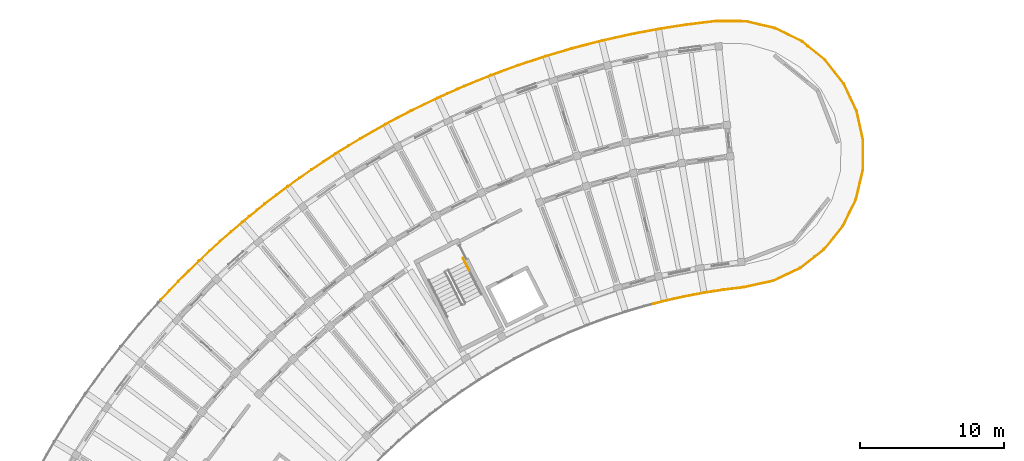
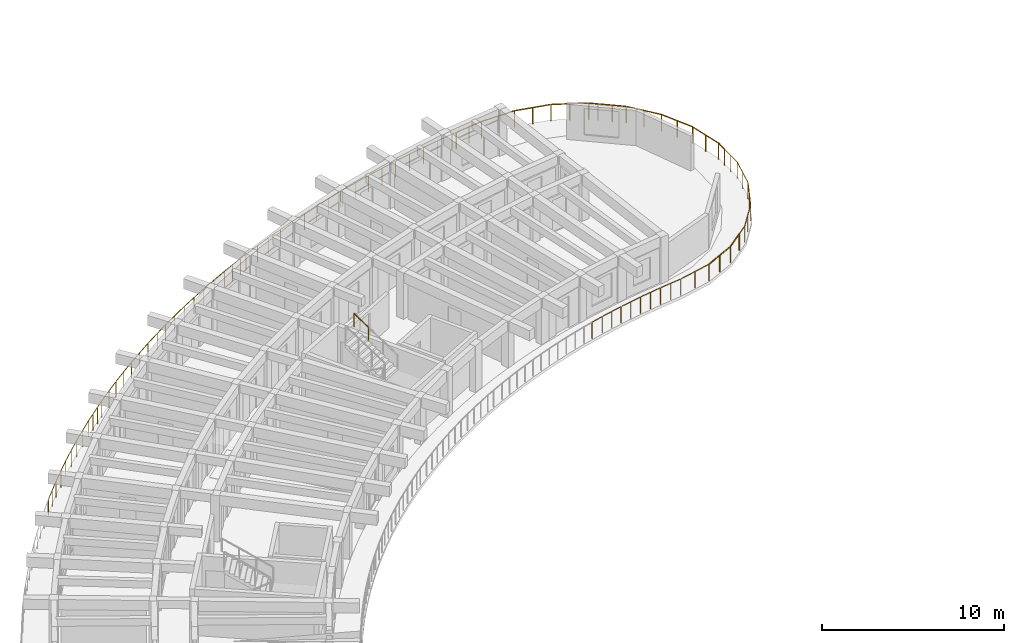
# One storey, part 49 of 56: 11 railings.
"""IFC4 building model written with IfcOpenShell, lengths in metres."""

from ifc_helpers import new_model, si_unit, direction, frame, origin, origin_2d, place, context, subcontext, project, spatial, circle, extrude, material, type_object, element, save


model = new_model("IFC4")

# Units and contexts
model_context = context("Model", 3, precision=1e-05, world=origin(), true_north=direction((0.0, 1.0)))
body_context = subcontext(model_context, "Body", "Model", "MODEL_VIEW")
ifc_project = project(units=[si_unit("LENGTHUNIT", "METRE"), si_unit("AREAUNIT", "SQUARE_METRE"), si_unit("VOLUMEUNIT", "CUBIC_METRE"), si_unit("PLANEANGLEUNIT", "RADIAN"), si_unit("MASSUNIT", "GRAM", prefix="KILO")], contexts=[model_context])

# Site, building, storey
site_placement = place(None, origin())
site = spatial("IfcSite", under=ifc_project, at=site_placement, CompositionType="ELEMENT")
building_placement = place(site_placement, origin())
building = spatial("IfcBuilding", under=site, at=building_placement, Name="Tanwirah Colonnade Gardens", CompositionType="ELEMENT")
storey_placement = place(building_placement, frame((0.0, 0.0, 29.0)))
storey = spatial("IfcBuildingStorey", under=building, at=storey_placement, Name="L08", CompositionType="ELEMENT", Elevation=29.0)

# Railings
ifc_material_1 = material(Name="Precast concrete C40/50", Category="concrete")
railing_type_1 = type_object("IfcRailingType", Name="BAL-EXT112", PredefinedType="BALUSTRADE", material=ifc_material_1)
railing_1_placement = place(storey_placement, frame((62.57666015625, 103.095947265625, 0.0)))
element("IfcRailing", 1, at=railing_1_placement, inside=storey, type_object=railing_type_1, Name="Block A L08 Balcony Ribbon Balustrade 1", PredefinedType="BALUSTRADE", context=body_context, shape_type="SweptSolid", body=[
    extrude(circle(Radius=0.02392578125, at=origin_2d()), frame((-0.030517578125, -0.0068359375, 1.09619140625), z_axis=(-0.976545428659, -0.215311462222, 0.0), x_axis=(0.215311462222, -0.976545428659, 0.0)), (0.0, 0.0, 1.0), 2.029541015625),
    extrude(circle(Radius=0.02392578125, at=origin_2d()), frame((-2.073974609375, -0.4541015625, 1.09619140625), z_axis=(-0.99267751715, -0.120794647829, 0.0), x_axis=(0.120794647829, -0.99267751715, 0.0)), (0.0, 0.0, 1.0), 1.338134765625),
    extrude(circle(Radius=0.02392578125, at=origin_2d()), frame((-3.466796875, -0.625, 1.09619140625), z_axis=(-0.988147546762, -0.153507087226, 0.0), x_axis=(0.153507087226, -0.988147546762, 0.0)), (0.0, 0.0, 1.0), 1.341796875),
    extrude(circle(Radius=0.02392578125, at=origin_2d()), frame((-4.85693359375, -0.842041015625, 1.09619140625), z_axis=(-0.982547926195, -0.186009603862, 0.0), x_axis=(0.186009603862, -0.982547926195, 0.0)), (0.0, 0.0, 1.0), 1.341796875),
    extrude(circle(Radius=0.02392578125, at=origin_2d()), frame((-6.239013671875, -1.104736328125, 1.09619140625), z_axis=(-0.975875211082, -0.218329046156, 0.0), x_axis=(0.218329046156, -0.975875211082, 0.0)), (0.0, 0.0, 1.0), 1.342041015625),
    extrude(circle(Radius=0.02392578125, at=origin_2d()), frame((-7.61181640625, -1.4130859375, 1.09619140625), z_axis=(-0.968150815957, -0.25036772468, 0.0), x_axis=(0.25036772468, -0.968150815957, 0.0)), (0.0, 0.0, 1.0), 0.721435546875),
    extrude(circle(Radius=0.02099609375, at=origin_2d()), origin(), (0.0, 0.0, 1.0), 1.069091796875),
    extrude(circle(Radius=0.02099609375, at=origin_2d()), frame((-1.021484375, -0.22509765625, 0.0)), (0.0, 0.0, 1.0), 1.069091796875),
    extrude(circle(Radius=0.02099609375, at=origin_2d()), frame((-2.04296875, -0.450439453125, 0.0)), (0.0, 0.0, 1.0), 1.069091796875),
    extrude(circle(Radius=0.02099609375, at=origin_2d()), frame((-2.73828125, -0.53515625, 0.0)), (0.0, 0.0, 1.0), 1.069091796875),
    extrude(circle(Radius=0.02099609375, at=origin_2d()), frame((-3.433349609375, -0.61962890625, 0.0)), (0.0, 0.0, 1.0), 1.069091796875),
    extrude(circle(Radius=0.02099609375, at=origin_2d()), frame((-4.129638671875, -0.72802734375, 0.0)), (0.0, 0.0, 1.0), 1.069091796875),
    extrude(circle(Radius=0.02099609375, at=origin_2d()), frame((-4.823486328125, -0.835693359375, 0.0)), (0.0, 0.0, 1.0), 1.069091796875),
    extrude(circle(Radius=0.02099609375, at=origin_2d()), frame((-5.51611328125, -0.966796875, 0.0)), (0.0, 0.0, 1.0), 1.069091796875),
    extrude(circle(Radius=0.02099609375, at=origin_2d()), frame((-6.2060546875, -1.097412109375, 0.0)), (0.0, 0.0, 1.0), 1.069091796875),
    extrude(circle(Radius=0.02099609375, at=origin_2d()), frame((-6.893798828125, -1.251220703125, 0.0)), (0.0, 0.0, 1.0), 1.069091796875),
    extrude(circle(Radius=0.02099609375, at=origin_2d()), frame((-7.5791015625, -1.404541015625, 0.0)), (0.0, 0.0, 1.0), 1.069091796875),
    extrude(circle(Radius=0.02099609375, at=origin_2d()), frame((-8.340576171875, -1.6015625, 0.0)), (0.0, 0.0, 1.0), 1.069091796875),
])
railing_2_placement = place(storey_placement, frame((19.91796875, 101.760986328125, 0.0)))
element("IfcRailing", 2, at=railing_2_placement, inside=storey, type_object=railing_type_1, Name="Block A L08 Balcony Ribbon Balustrade 14", PredefinedType="BALUSTRADE", context=body_context, shape_type="SweptSolid", body=[
    extrude(circle(Radius=0.02392578125, at=origin_2d()), frame((0.021484375, 0.022705078125, 1.09619140625), z_axis=(0.686974448696, 0.726681571831, 0.0), x_axis=(-0.726681571831, 0.686974448696, 0.0)), (0.0, 0.0, 1.0), 1.71435546875),
    extrude(circle(Radius=0.02392578125, at=origin_2d()), frame((1.242919921875, 1.313232421875, 1.09619140625), z_axis=(0.710480209462, 0.703717181801, 0.0), x_axis=(-0.703717181801, 0.710480209462, 0.0)), (0.0, 0.0, 1.0), 1.958984375),
    extrude(circle(Radius=0.02392578125, at=origin_2d()), frame((2.679931640625, 2.735107421875, 1.09619140625), z_axis=(0.733352454033, 0.679848643569, 0.0), x_axis=(-0.679848643569, 0.733352454033, 0.0)), (0.0, 0.0, 1.0), 1.958984375),
    extrude(circle(Radius=0.02392578125, at=origin_2d()), frame((4.1630859375, 4.108642578125, 1.09619140625), z_axis=(0.755338292497, 0.655335077565, 0.0), x_axis=(-0.655335077565, 0.755338292497, 0.0)), (0.0, 0.0, 1.0), 1.958984375),
    extrude(circle(Radius=0.02392578125, at=origin_2d()), frame((5.6904296875, 5.4326171875, 1.09619140625), z_axis=(0.776510659425, 0.630104115047, 0.0), x_axis=(-0.630104115047, 0.776510659425, 0.0)), (0.0, 0.0, 1.0), 0.59619140625),
    extrude(circle(Radius=0.02099609375, at=origin_2d()), origin(), (0.0, 0.0, 1.0), 1.069091796875),
    extrude(circle(Radius=0.02099609375, at=origin_2d()), frame((0.6103515625, 0.6455078125, 0.0)), (0.0, 0.0, 1.0), 1.069091796875),
    extrude(circle(Radius=0.02099609375, at=origin_2d()), frame((1.220703125, 1.291259765625, 0.0)), (0.0, 0.0, 1.0), 1.069091796875),
    extrude(circle(Radius=0.02099609375, at=origin_2d()), frame((1.93896484375, 2.00244140625, 0.0)), (0.0, 0.0, 1.0), 1.069091796875),
    extrude(circle(Radius=0.02099609375, at=origin_2d()), frame((2.656982421875, 2.7138671875, 0.0)), (0.0, 0.0, 1.0), 1.069091796875),
    extrude(circle(Radius=0.02099609375, at=origin_2d()), frame((3.398193359375, 3.40087890625, 0.0)), (0.0, 0.0, 1.0), 1.069091796875),
    extrude(circle(Radius=0.02099609375, at=origin_2d()), frame((4.139404296875, 4.088134765625, 0.0)), (0.0, 0.0, 1.0), 1.069091796875),
    extrude(circle(Radius=0.02099609375, at=origin_2d()), frame((4.90283203125, 4.75048828125, 0.0)), (0.0, 0.0, 1.0), 1.069091796875),
    extrude(circle(Radius=0.02099609375, at=origin_2d()), frame((5.666259765625, 5.412841796875, 0.0)), (0.0, 0.0, 1.0), 1.069091796875),
    extrude(circle(Radius=0.02099609375, at=origin_2d()), frame((6.177734375, 5.827880859375, 0.0)), (0.0, 0.0, 1.0), 1.069091796875),
])
railing_3_placement = place(storey_placement, frame((26.095703125, 107.5888671875, 0.0)))
element("IfcRailing", 3, at=railing_3_placement, inside=storey, type_object=railing_type_1, Name="Block A L08 Balcony Ribbon Balustrade 15", PredefinedType="BALUSTRADE", context=body_context, shape_type="SweptSolid", body=[
    extrude(circle(Radius=0.02392578125, at=origin_2d()), frame((0.024169921875, 0.019775390625, 1.09619140625), z_axis=(0.776568601174, 0.630032703652, 0.0), x_axis=(-0.630032703652, 0.776568601174, 0.0)), (0.0, 0.0, 1.0), 1.30029296875),
    extrude(circle(Radius=0.02392578125, at=origin_2d()), frame((1.083251953125, 0.87744140625, 1.09619140625), z_axis=(0.796887753746, 0.604127393792, 0.0), x_axis=(-0.604127393792, 0.796887753746, 0.0)), (0.0, 0.0, 1.0), 1.958984375),
    extrude(circle(Radius=0.02392578125, at=origin_2d()), frame((2.69482421875, 2.097900390625, 1.09619140625), z_axis=(0.816344803849, 0.577564854565, 0.0), x_axis=(-0.577564854565, 0.816344803849, 0.0)), (0.0, 0.0, 1.0), 1.958740234375),
    extrude(circle(Radius=0.02392578125, at=origin_2d()), frame((4.345458984375, 3.264404296875, 1.09619140625), z_axis=(0.834955682369, 0.550317188973, 0.0), x_axis=(-0.550317188973, 0.834955682369, 0.0)), (0.0, 0.0, 1.0), 1.959228515625),
    extrude(circle(Radius=0.02392578125, at=origin_2d()), frame((6.033935546875, 4.376220703125, 1.09619140625), z_axis=(0.852594710096, 0.522572732082, 0.0), x_axis=(-0.522572732082, 0.852594710096, 0.0)), (0.0, 0.0, 1.0), 1.01025390625),
    extrude(circle(Radius=0.02099609375, at=origin_2d()), origin(), (0.0, 0.0, 1.0), 1.069091796875),
    extrude(circle(Radius=0.02099609375, at=origin_2d()), frame((0.529296875, 0.42919921875, 0.0)), (0.0, 0.0, 1.0), 1.069091796875),
    extrude(circle(Radius=0.02099609375, at=origin_2d()), frame((1.058349609375, 0.858642578125, 0.0)), (0.0, 0.0, 1.0), 1.069091796875),
    extrude(circle(Radius=0.02099609375, at=origin_2d()), frame((1.86376953125, 1.46923828125, 0.0)), (0.0, 0.0, 1.0), 1.069091796875),
    extrude(circle(Radius=0.02099609375, at=origin_2d()), frame((2.669189453125, 2.079833984375, 0.0)), (0.0, 0.0, 1.0), 1.069091796875),
    extrude(circle(Radius=0.02099609375, at=origin_2d()), frame((3.494140625, 2.66357421875, 0.0)), (0.0, 0.0, 1.0), 1.069091796875),
    extrude(circle(Radius=0.02099609375, at=origin_2d()), frame((4.3193359375, 3.247314453125, 0.0)), (0.0, 0.0, 1.0), 1.069091796875),
    extrude(circle(Radius=0.02099609375, at=origin_2d()), frame((5.163330078125, 3.8037109375, 0.0)), (0.0, 0.0, 1.0), 1.069091796875),
    extrude(circle(Radius=0.02099609375, at=origin_2d()), frame((6.00732421875, 4.35986328125, 0.0)), (0.0, 0.0, 1.0), 1.069091796875),
    extrude(circle(Radius=0.02099609375, at=origin_2d()), frame((6.921875, 4.92041015625, 0.0)), (0.0, 0.0, 1.0), 1.069091796875),
])
railing_4_placement = place(storey_placement, frame((33.017578125, 112.50927734375, 0.0)))
element("IfcRailing", 4, at=railing_4_placement, inside=storey, type_object=railing_type_1, Name="Block A L08 Balcony Ribbon Balustrade 16", PredefinedType="BALUSTRADE", context=body_context, shape_type="SweptSolid", body=[
    extrude(circle(Radius=0.02392578125, at=origin_2d()), frame((0.026611328125, 0.016357421875, 1.09619140625), z_axis=(0.852734357798, 0.522344823877, 0.0), x_axis=(-0.522344823877, 0.852734357798, 0.0)), (0.0, 0.0, 1.0), 0.88623046875),
    extrude(circle(Radius=0.02392578125, at=origin_2d()), frame((0.836181640625, 0.510986328125, 1.09619140625), z_axis=(0.869392881113, 0.494121461049, 0.0), x_axis=(-0.494121461049, 0.869392881113, 0.0)), (0.0, 0.0, 1.0), 1.958740234375),
    extrude(circle(Radius=0.02392578125, at=origin_2d()), frame((2.593994140625, 1.509033203125, 1.09619140625), z_axis=(0.885211446817, 0.465188880374, 0.0), x_axis=(-0.465188880374, 0.885211446817, 0.0)), (0.0, 0.0, 1.0), 1.958984375),
    extrude(circle(Radius=0.02392578125, at=origin_2d()), frame((4.384033203125, 2.448486328125, 1.09619140625), z_axis=(0.900055350621, 0.435775591122, 0.0), x_axis=(-0.435775591122, 0.900055350621, 0.0)), (0.0, 0.0, 1.0), 1.958740234375),
    extrude(circle(Radius=0.02392578125, at=origin_2d()), frame((6.203857421875, 3.328369140625, 1.09619140625), z_axis=(0.913919852198, 0.405894695406, 0.0), x_axis=(-0.405894695406, 0.913919852198, 0.0)), (0.0, 0.0, 1.0), 1.42431640625),
    extrude(circle(Radius=0.02099609375, at=origin_2d()), origin(), (0.0, 0.0, 1.0), 1.069091796875),
    extrude(circle(Radius=0.02099609375, at=origin_2d()), frame((0.80908203125, 0.49560546875, 0.0)), (0.0, 0.0, 1.0), 1.069091796875),
    extrude(circle(Radius=0.02099609375, at=origin_2d()), frame((1.687744140625, 0.9951171875, 0.0)), (0.0, 0.0, 1.0), 1.069091796875),
    extrude(circle(Radius=0.02099609375, at=origin_2d()), frame((2.56640625, 1.494384765625, 0.0)), (0.0, 0.0, 1.0), 1.069091796875),
    extrude(circle(Radius=0.02099609375, at=origin_2d()), frame((3.461181640625, 1.964599609375, 0.0)), (0.0, 0.0, 1.0), 1.069091796875),
    extrude(circle(Radius=0.02099609375, at=origin_2d()), frame((4.35595703125, 2.434814453125, 0.0)), (0.0, 0.0, 1.0), 1.069091796875),
    extrude(circle(Radius=0.02099609375, at=origin_2d()), frame((5.265625, 2.875244140625, 0.0)), (0.0, 0.0, 1.0), 1.069091796875),
    extrude(circle(Radius=0.02099609375, at=origin_2d()), frame((6.17529296875, 3.315673828125, 0.0)), (0.0, 0.0, 1.0), 1.069091796875),
    extrude(circle(Radius=0.02099609375, at=origin_2d()), frame((6.854736328125, 3.617431640625, 0.0)), (0.0, 0.0, 1.0), 1.069091796875),
    extrude(circle(Radius=0.02099609375, at=origin_2d()), frame((7.5341796875, 3.919189453125, 0.0)), (0.0, 0.0, 1.0), 1.069091796875),
])
railing_5_placement = place(storey_placement, frame((40.5517578125, 116.428466796875, 0.0)))
element("IfcRailing", 5, at=railing_5_placement, inside=storey, type_object=railing_type_1, Name="Block A L08 Balcony Ribbon Balustrade 17", PredefinedType="BALUSTRADE", context=body_context, shape_type="SweptSolid", body=[
    extrude(circle(Radius=0.02392578125, at=origin_2d()), frame((0.028564453125, 0.0126953125, 1.09619140625), z_axis=(0.914037447664, 0.405629811857, 0.0), x_axis=(-0.405629811857, 0.914037447664, 0.0)), (0.0, 0.0, 1.0), 0.471923828125),
    extrude(circle(Radius=0.02392578125, at=origin_2d()), frame((0.517578125, 0.228515625, 1.09619140625), z_axis=(0.926784720453, 0.375592973757, 0.0), x_axis=(-0.375592973757, 0.926784720453, 0.0)), (0.0, 0.0, 1.0), 1.958984375),
    extrude(circle(Radius=0.02392578125, at=origin_2d()), frame((2.391357421875, 0.98681640625, 1.09619140625), z_axis=(0.938723993457, 0.344669789956, 0.0), x_axis=(-0.344669789956, 0.938723993457, 0.0)), (0.0, 0.0, 1.0), 1.958984375),
    extrude(circle(Radius=0.02392578125, at=origin_2d()), frame((4.28955078125, 1.6826171875, 1.09619140625), z_axis=(0.949537316482, 0.313654084317, 0.0), x_axis=(-0.313654084317, 0.949537316482, 0.0)), (0.0, 0.0, 1.0), 1.958984375),
    extrude(circle(Radius=0.02392578125, at=origin_2d()), frame((6.209228515625, 2.315673828125, 1.09619140625), z_axis=(0.9593675466, 0.282159370801, 0.0), x_axis=(-0.282159370801, 0.9593675466, 0.0)), (0.0, 0.0, 1.0), 1.83837890625),
    extrude(circle(Radius=0.02099609375, at=origin_2d()), origin(), (0.0, 0.0, 1.0), 1.069091796875),
    extrude(circle(Radius=0.02099609375, at=origin_2d()), frame((0.488525390625, 0.216796875, 0.0)), (0.0, 0.0, 1.0), 1.069091796875),
    extrude(circle(Radius=0.02099609375, at=origin_2d()), frame((1.42529296875, 0.596435546875, 0.0)), (0.0, 0.0, 1.0), 1.069091796875),
    extrude(circle(Radius=0.02099609375, at=origin_2d()), frame((2.362060546875, 0.97607421875, 0.0)), (0.0, 0.0, 1.0), 1.069091796875),
    extrude(circle(Radius=0.02099609375, at=origin_2d()), frame((3.31103515625, 1.324462890625, 0.0)), (0.0, 0.0, 1.0), 1.069091796875),
    extrude(circle(Radius=0.02099609375, at=origin_2d()), frame((4.259765625, 1.6728515625, 0.0)), (0.0, 0.0, 1.0), 1.069091796875),
    extrude(circle(Radius=0.02099609375, at=origin_2d()), frame((5.219482421875, 1.98974609375, 0.0)), (0.0, 0.0, 1.0), 1.069091796875),
    extrude(circle(Radius=0.02099609375, at=origin_2d()), frame((6.17919921875, 2.306884765625, 0.0)), (0.0, 0.0, 1.0), 1.069091796875),
    extrude(circle(Radius=0.02099609375, at=origin_2d()), frame((7.091064453125, 2.5751953125, 0.0)), (0.0, 0.0, 1.0), 1.069091796875),
    extrude(circle(Radius=0.02099609375, at=origin_2d()), frame((8.0029296875, 2.84326171875, 0.0)), (0.0, 0.0, 1.0), 1.069091796875),
])
railing_6_placement = place(storey_placement, frame((48.5546875, 119.271728515625, 0.0)))
element("IfcRailing", 6, at=railing_6_placement, inside=storey, type_object=railing_type_1, Name="Block A L08 Balcony Ribbon Balustrade 18", PredefinedType="BALUSTRADE", context=body_context, shape_type="SweptSolid", body=[
    extrude(circle(Radius=0.02392578125, at=origin_2d()), frame((0.030029296875, 0.0087890625, 1.09619140625), z_axis=(0.959430074946, 0.281946681644, 0.0), x_axis=(-0.281946681644, 0.959430074946, 0.0)), (0.0, 0.0, 1.0), 0.057861328125),
    extrude(circle(Radius=0.02392578125, at=origin_2d()), frame((0.145751953125, 0.041748046875, 1.09619140625), z_axis=(0.968157509899, 0.250341838346, 0.0), x_axis=(-0.250341838346, 0.968157509899, 0.0)), (0.0, 0.0, 1.0), 1.959228515625),
    extrude(circle(Radius=0.02392578125, at=origin_2d()), frame((2.103271484375, 0.546875, 1.09619140625), z_axis=(0.975867729966, 0.218362482151, 0.0), x_axis=(-0.218362482151, 0.975867729966, 0.0)), (0.0, 0.0, 1.0), 1.958984375),
    extrude(circle(Radius=0.02392578125, at=origin_2d()), frame((4.076171875, 0.9873046875, 1.09619140625), z_axis=(0.982549371225, 0.186001970705, 0.0), x_axis=(-0.186001970705, 0.982549371225, 0.0)), (0.0, 0.0, 1.0), 1.958740234375),
    extrude(circle(Radius=0.02392578125, at=origin_2d()), frame((6.0625, 1.3623046875, 1.09619140625), z_axis=(0.988130323653, 0.153617913919, 0.0), x_axis=(-0.153617913919, 0.988130323653, 0.0)), (0.0, 0.0, 1.0), 1.958984375),
    extrude(circle(Radius=0.02392578125, at=origin_2d()), frame((8.06005859375, 1.671630859375, 1.09619140625), z_axis=(0.992706670136, 0.120554830125, 0.0), x_axis=(-0.120554830125, 0.992706670136, 0.0)), (0.0, 0.0, 1.0), 0.231201171875),
    extrude(circle(Radius=0.02099609375, at=origin_2d()), origin(), (0.0, 0.0, 1.0), 1.069091796875),
    extrude(circle(Radius=0.02099609375, at=origin_2d()), frame((0.115478515625, 0.033935546875, 0.0)), (0.0, 0.0, 1.0), 1.069091796875),
    extrude(circle(Radius=0.02099609375, at=origin_2d()), frame((1.09423828125, 0.287109375, 0.0)), (0.0, 0.0, 1.0), 1.069091796875),
    extrude(circle(Radius=0.02099609375, at=origin_2d()), frame((2.07275390625, 0.5400390625, 0.0)), (0.0, 0.0, 1.0), 1.069091796875),
    extrude(circle(Radius=0.02099609375, at=origin_2d()), frame((3.05908203125, 0.7607421875, 0.0)), (0.0, 0.0, 1.0), 1.069091796875),
    extrude(circle(Radius=0.02099609375, at=origin_2d()), frame((4.04541015625, 0.9814453125, 0.0)), (0.0, 0.0, 1.0), 1.069091796875),
    extrude(circle(Radius=0.02099609375, at=origin_2d()), frame((5.03857421875, 1.16943359375, 0.0)), (0.0, 0.0, 1.0), 1.069091796875),
    extrude(circle(Radius=0.02099609375, at=origin_2d()), frame((6.031494140625, 1.357421875, 0.0)), (0.0, 0.0, 1.0), 1.069091796875),
    extrude(circle(Radius=0.02099609375, at=origin_2d()), frame((7.0302734375, 1.5126953125, 0.0)), (0.0, 0.0, 1.0), 1.069091796875),
    extrude(circle(Radius=0.02099609375, at=origin_2d()), frame((8.029052734375, 1.66796875, 0.0)), (0.0, 0.0, 1.0), 1.069091796875),
    extrude(circle(Radius=0.02099609375, at=origin_2d()), frame((8.320556640625, 1.703369140625, 0.0)), (0.0, 0.0, 1.0), 1.069091796875),
])
railing_7_placement = place(storey_placement, frame((56.875244140625, 120.97509765625, 0.0)))
element("IfcRailing", 7, at=railing_7_placement, inside=storey, type_object=railing_type_1, Name="Block A L08 Balcony Ribbon Balustrade 19", PredefinedType="BALUSTRADE", context=body_context, shape_type="SweptSolid", body=[
    extrude(circle(Radius=0.02392578125, at=origin_2d()), frame((0.031005859375, 0.003662109375, 1.09619140625), z_axis=(0.992658739514, 0.120948860543, 0.0), x_axis=(-0.120948860543, 0.992658739514, 0.0)), (0.0, 0.0, 1.0), 1.661376953125),
    extrude(circle(Radius=0.02392578125, at=origin_2d()), frame((1.742431640625, 0.208251953125, 1.09619140625), z_axis=(0.999972077233, -0.00747293472, 0.0), x_axis=(0.00747293472, 0.999972077233, 0.0)), (0.0, 0.0, 1.0), 2.0283203125),
    extrude(circle(Radius=0.02392578125, at=origin_2d()), frame((3.83251953125, 0.185791015625, 1.09619140625), z_axis=(0.973245052386, -0.229769597654, 0.0), x_axis=(0.229769597654, 0.973245052386, 0.0)), (0.0, 0.0, 1.0), 2.0244140625),
    extrude(circle(Radius=0.02392578125, at=origin_2d()), frame((5.861083984375, -0.30029296875, 1.09619140625), z_axis=(0.89767854763, -0.440650910727, 0.0), x_axis=(0.440650910727, 0.89767854763, 0.0)), (0.0, 0.0, 1.0), 2.024658203125),
    extrude(circle(Radius=0.02392578125, at=origin_2d()), frame((7.73095703125, -1.22607421875, 1.09619140625), z_axis=(0.777222634712, -0.62922569567, 0.0), x_axis=(0.62922569567, 0.777222634712, 0.0)), (0.0, 0.0, 1.0), 0.448974609375),
    extrude(circle(Radius=0.02099609375, at=origin_2d()), origin(), (0.0, 0.0, 1.0), 1.069091796875),
    extrude(circle(Radius=0.02099609375, at=origin_2d()), frame((0.85546875, 0.104248046875, 0.0)), (0.0, 0.0, 1.0), 1.069091796875),
    extrude(circle(Radius=0.02099609375, at=origin_2d()), frame((1.711181640625, 0.20849609375, 0.0)), (0.0, 0.0, 1.0), 1.069091796875),
    extrude(circle(Radius=0.02099609375, at=origin_2d()), frame((2.756591796875, 0.20068359375, 0.0)), (0.0, 0.0, 1.0), 1.069091796875),
    extrude(circle(Radius=0.02099609375, at=origin_2d()), frame((3.802001953125, 0.19287109375, 0.0)), (0.0, 0.0, 1.0), 1.069091796875),
    extrude(circle(Radius=0.02099609375, at=origin_2d()), frame((4.8173828125, -0.046875, 0.0)), (0.0, 0.0, 1.0), 1.069091796875),
    extrude(circle(Radius=0.02099609375, at=origin_2d()), frame((5.8330078125, -0.28662109375, 0.0)), (0.0, 0.0, 1.0), 1.069091796875),
    extrude(circle(Radius=0.02099609375, at=origin_2d()), frame((6.769775390625, -0.74658203125, 0.0)), (0.0, 0.0, 1.0), 1.069091796875),
    extrude(circle(Radius=0.02099609375, at=origin_2d()), frame((7.70654296875, -1.206298828125, 0.0)), (0.0, 0.0, 1.0), 1.069091796875),
    extrude(circle(Radius=0.02099609375, at=origin_2d()), frame((8.10400390625, -1.528076171875, 0.0)), (0.0, 0.0, 1.0), 1.069091796875),
])
railing_8_placement = place(storey_placement, frame((64.979248046875, 119.447021484375, 0.0)))
element("IfcRailing", 8, at=railing_8_placement, inside=storey, type_object=railing_type_1, Name="Block A L08 Balcony Ribbon Balustrade 20", PredefinedType="BALUSTRADE", context=body_context, shape_type="SweptSolid", body=[
    extrude(circle(Radius=0.02392578125, at=origin_2d()), frame((0.0244140625, -0.019775390625, 1.09619140625), z_axis=(0.777151033754, -0.629314127233, 0.0), x_axis=(0.629314127233, 0.777151033754, 0.0)), (0.0, 0.0, 1.0), 1.512939453125),
    extrude(circle(Radius=0.02392578125, at=origin_2d()), frame((1.24365234375, -1.01611328125, 1.09619140625), z_axis=(0.617578689713, -0.786509098493, 0.0), x_axis=(0.786509098493, 0.617578689713, 0.0)), (0.0, 0.0, 1.0), 2.0244140625),
    extrude(circle(Radius=0.02392578125, at=origin_2d()), frame((2.526611328125, -2.6611328125, 1.09619140625), z_axis=(0.427120558346, -0.904194685142, 0.0), x_axis=(0.904194685142, 0.427120558346, 0.0)), (0.0, 0.0, 1.0), 2.0244140625),
    extrude(circle(Radius=0.02392578125, at=origin_2d()), frame((3.411376953125, -4.55029296875, 1.09619140625), z_axis=(0.215270196259, -0.97655452618, 0.0), x_axis=(0.97655452618, 0.215270196259, 0.0)), (0.0, 0.0, 1.0), 2.024169921875),
    extrude(circle(Radius=0.02392578125, at=origin_2d()), frame((3.853515625, -6.5888671875, 1.09619140625), z_axis=(-0.007720358143, -0.999970197591, 0.0), x_axis=(0.999970197591, -0.007720358143, 0.0)), (0.0, 0.0, 1.0), 0.6015625),
    extrude(circle(Radius=0.02099609375, at=origin_2d()), origin(), (0.0, 0.0, 1.0), 1.069091796875),
    extrude(circle(Radius=0.02099609375, at=origin_2d()), frame((0.6123046875, -0.49560546875, 0.0)), (0.0, 0.0, 1.0), 1.069091796875),
    extrude(circle(Radius=0.02099609375, at=origin_2d()), frame((1.224365234375, -0.991455078125, 0.0)), (0.0, 0.0, 1.0), 1.069091796875),
    extrude(circle(Radius=0.02099609375, at=origin_2d()), frame((1.86865234375, -1.81201171875, 0.0)), (0.0, 0.0, 1.0), 1.069091796875),
    extrude(circle(Radius=0.02099609375, at=origin_2d()), frame((2.51318359375, -2.6328125, 0.0)), (0.0, 0.0, 1.0), 1.069091796875),
    extrude(circle(Radius=0.02099609375, at=origin_2d()), frame((2.958984375, -3.576171875, 0.0)), (0.0, 0.0, 1.0), 1.069091796875),
    extrude(circle(Radius=0.02099609375, at=origin_2d()), frame((3.404541015625, -4.519775390625, 0.0)), (0.0, 0.0, 1.0), 1.069091796875),
    extrude(circle(Radius=0.02099609375, at=origin_2d()), frame((3.629150390625, -5.53857421875, 0.0)), (0.0, 0.0, 1.0), 1.069091796875),
    extrude(circle(Radius=0.02099609375, at=origin_2d()), frame((3.853759765625, -6.5576171875, 0.0)), (0.0, 0.0, 1.0), 1.069091796875),
    extrude(circle(Radius=0.02099609375, at=origin_2d()), frame((3.8486328125, -7.2216796875, 0.0)), (0.0, 0.0, 1.0), 1.069091796875),
])
railing_9_placement = place(storey_placement, frame((68.827880859375, 112.225341796875, 0.0)))
element("IfcRailing", 9, at=railing_9_placement, inside=storey, type_object=railing_type_1, Name="Block A L08 Balcony Ribbon Balustrade 21", PredefinedType="BALUSTRADE", context=body_context, shape_type="SweptSolid", body=[
    extrude(circle(Radius=0.02392578125, at=origin_2d()), frame((-0.000244140625, -0.03125, 1.09619140625), z_axis=(-0.007377973514, -0.999972782383, 0.0), x_axis=(0.999972782383, -0.007377973514, 0.0)), (0.0, 0.0, 1.0), 1.3603515625),
    extrude(circle(Radius=0.02392578125, at=origin_2d()), frame((-0.017578125, -1.453369140625, 1.09619140625), z_axis=(-0.229769597654, -0.973245052386, 0.0), x_axis=(0.973245052386, -0.229769597654, 0.0)), (0.0, 0.0, 1.0), 2.0244140625),
    extrude(circle(Radius=0.02392578125, at=origin_2d()), frame((-0.503662109375, -3.48193359375, 1.09619140625), z_axis=(-0.440650910727, -0.89767854763, 0.0), x_axis=(0.89767854763, -0.440650910727, 0.0)), (0.0, 0.0, 1.0), 2.024658203125),
    extrude(circle(Radius=0.02392578125, at=origin_2d()), frame((-1.429443359375, -5.351806640625, 1.09619140625), z_axis=(-0.629292457571, -0.777168580711, 0.0), x_axis=(0.777168580711, -0.629292457571, 0.0)), (0.0, 0.0, 1.0), 2.0244140625),
    extrude(circle(Radius=0.02392578125, at=origin_2d()), frame((-2.74755859375, -6.968505859375, 1.09619140625), z_axis=(-0.786525843464, -0.617557363784, 0.0), x_axis=(0.617557363784, -0.786525843464, 0.0)), (0.0, 0.0, 1.0), 0.75390625),
    extrude(circle(Radius=0.02099609375, at=origin_2d()), origin(), (0.0, 0.0, 1.0), 1.069091796875),
    extrude(circle(Radius=0.02099609375, at=origin_2d()), frame((-0.00537109375, -0.71142578125, 0.0)), (0.0, 0.0, 1.0), 1.069091796875),
    extrude(circle(Radius=0.02099609375, at=origin_2d()), frame((-0.010498046875, -1.4228515625, 0.0)), (0.0, 0.0, 1.0), 1.069091796875),
    extrude(circle(Radius=0.02099609375, at=origin_2d()), frame((-0.250244140625, -2.4384765625, 0.0)), (0.0, 0.0, 1.0), 1.069091796875),
    extrude(circle(Radius=0.02099609375, at=origin_2d()), frame((-0.489990234375, -3.453857421875, 0.0)), (0.0, 0.0, 1.0), 1.069091796875),
    extrude(circle(Radius=0.02099609375, at=origin_2d()), frame((-0.94970703125, -4.390625, 0.0)), (0.0, 0.0, 1.0), 1.069091796875),
    extrude(circle(Radius=0.02099609375, at=origin_2d()), frame((-1.40966796875, -5.327392578125, 0.0)), (0.0, 0.0, 1.0), 1.069091796875),
    extrude(circle(Radius=0.02099609375, at=origin_2d()), frame((-2.06640625, -6.13818359375, 0.0)), (0.0, 0.0, 1.0), 1.069091796875),
    extrude(circle(Radius=0.02099609375, at=origin_2d()), frame((-2.722900390625, -6.94921875, 0.0)), (0.0, 0.0, 1.0), 1.069091796875),
    extrude(circle(Radius=0.02099609375, at=origin_2d()), frame((-3.364990234375, -7.453369140625, 0.0)), (0.0, 0.0, 1.0), 1.069091796875),
])
railing_10_placement = place(storey_placement, frame((65.462890625, 104.77197265625, 0.0)))
element("IfcRailing", 10, at=railing_10_placement, inside=storey, type_object=railing_type_1, Name="Block A L08 Balcony Ribbon Balustrade 22", PredefinedType="BALUSTRADE", context=body_context, shape_type="SweptSolid", body=[
    extrude(circle(Radius=0.02392578125, at=origin_2d()), frame((-0.024658203125, -0.019287109375, 1.09619140625), z_axis=(-0.786498338908, -0.617592392194, 0.0), x_axis=(0.617592392194, -0.786498338908, 0.0)), (0.0, 0.0, 1.0), 1.2080078125),
    extrude(circle(Radius=0.02392578125, at=origin_2d()), frame((-1.027587890625, -0.798095703125, 1.09619140625), z_axis=(-0.904194685142, -0.427120558346, 0.0), x_axis=(0.427120558346, -0.904194685142, 0.0)), (0.0, 0.0, 1.0), 2.0244140625),
    extrude(circle(Radius=0.02099609375, at=origin_2d()), origin(), (0.0, 0.0, 1.0), 1.069091796875),
    extrude(circle(Radius=0.02099609375, at=origin_2d()), frame((-0.999267578125, -0.78466796875, 0.0)), (0.0, 0.0, 1.0), 1.069091796875),
    extrude(circle(Radius=0.02099609375, at=origin_2d()), frame((-1.94287109375, -1.23046875, 0.0)), (0.0, 0.0, 1.0), 1.069091796875),
    extrude(circle(Radius=0.02099609375, at=origin_2d()), frame((-2.88623046875, -1.676025390625, 0.0)), (0.0, 0.0, 1.0), 1.069091796875),
])
ifc_material_2 = material(Name="Brushed bronze stainless steel", Category="steel")
railing_type_2 = type_object("IfcRailingType", Name="HR-ST090", PredefinedType="HANDRAIL", material=ifc_material_2)
railing_11_placement = place(storey_placement, frame((41.392822265625, 103.822265625, 2.97998046875)))
element("IfcRailing", 11, at=railing_11_placement, inside=storey, type_object=railing_type_2, Name="L08 ST-A1 stair handrail 6", PredefinedType="HANDRAIL", context=body_context, shape_type="SweptSolid", body=[
    extrude(circle(Radius=0.02392578125, at=origin_2d()), frame((-0.01220703125, 0.02392578125, 0.891845703125), z_axis=(-0.38993033558, 0.765508761867, 0.511811165275), x_axis=(-0.891061070925, -0.453883429839, 0.0)), (0.0, 0.0, 1.0), 1.043212890625),
    extrude(circle(Radius=0.02099609375, at=origin_2d()), origin(), (0.0, 0.0, 1.0), 0.848876953125),
    extrude(circle(Radius=0.02099609375, at=origin_2d()), frame((-0.43115234375, 0.846435546875, 0.56591796875)), (0.0, 0.0, 1.0), 0.848876953125),
])

save(model, "model.ifc")
